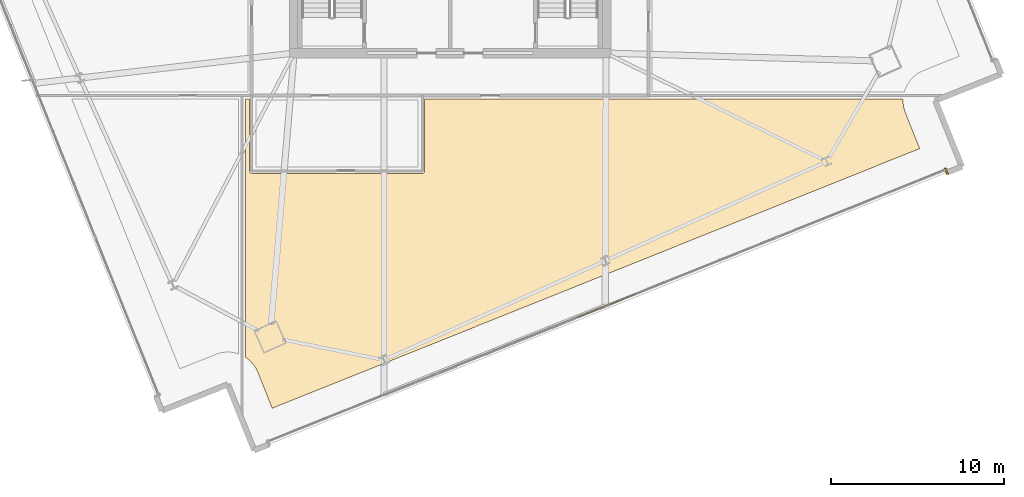
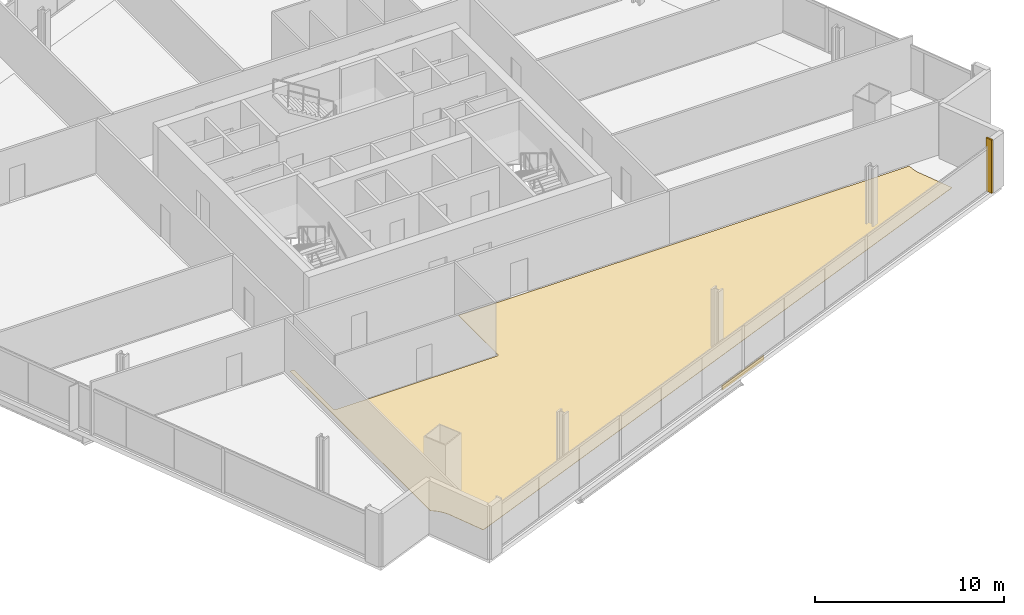
# One storey, part 29 of 33: 3 coverings.
"""IFC4 building model written with IfcOpenShell, lengths in metres."""

import ifcopenshell
import ifcopenshell.guid

model = None  # the IFC model being written
_history = None  # IfcOwnerHistory: only IFC2X3 demands one
_inside = {}  # id of a spatial element -> (the spatial element, [elements in it])
_under = {}  # id of a project, library or spatial element -> (it, [spatial elements below it])
_declared = {}  # id of a project -> (the project, [libraries it declares])
_typed = {}  # id of a type object -> (the type object, [elements of that type])
_made_of = {}  # id of a material, layer set ... -> (it, [elements and type objects made of it])


def new_model(schema):
    """Start an empty IFC model of exactly this schema.

    Asked for "IFC4X3", IfcOpenShell would pick the latest addendum, in which some entities
    have other attributes; the version numbers below select the first issue.
    IFC2X3 requires an IfcOwnerHistory on every rooted entity: one is made here for all.
    """
    global model, _history
    if schema == "IFC4X3":
        model = ifcopenshell.file(schema_version=(4, 3, 0, 0))
    else:
        model = ifcopenshell.file(schema=schema)
    _inside.clear()
    _under.clear()
    _declared.clear()
    _typed.clear()
    _made_of.clear()
    _history = None
    if model.schema == "IFC2X3":
        org = make("IfcOrganization", Name="unknown")
        user = make(
            "IfcPersonAndOrganization",
            ThePerson=make("IfcPerson", FamilyName="unknown"),
            TheOrganization=org,
        )
        app = make(
            "IfcApplication",
            ApplicationDeveloper=org,
            Version="unknown",
            ApplicationFullName="unknown",
            ApplicationIdentifier="unknown",
        )
        _history = make(
            "IfcOwnerHistory",
            OwningUser=user,
            OwningApplication=app,
            ChangeAction="ADDED",
            CreationDate=0,
        )
    return model


def make(cls, **values):
    """One entity of the class cls with the attributes given. An attribute that is None is left unset."""
    return model.create_entity(
        cls, **{name: value for name, value in values.items() if value is not None}
    )


def rooted(cls, **values):
    """An entity with a GlobalId (a new one), such as an element, a storey or a relation."""
    return make(cls, GlobalId=ifcopenshell.guid.new(), OwnerHistory=_history, **values)


def si_unit(unit_type, name, prefix=None):
    """IfcSIUnit, for example si_unit("LENGTHUNIT", "METRE", prefix="MILLI")."""
    return make("IfcSIUnit", UnitType=unit_type, Prefix=prefix, Name=name)


def assignment(units):
    """IfcUnitAssignment: the units of a project."""
    return None if units is None else make("IfcUnitAssignment", Units=units)


def point(xyz):
    """IfcCartesianPoint."""
    return None if xyz is None else make("IfcCartesianPoint", Coordinates=xyz)


def direction(xyz):
    """IfcDirection."""
    return None if xyz is None else make("IfcDirection", DirectionRatios=xyz)


def frame(location, z_axis=None, x_axis=None):
    """IfcAxis2Placement3D, a coordinate frame: its origin and axes. An axis left out is left unset."""
    return make(
        "IfcAxis2Placement3D",
        Location=point(location),
        Axis=direction(z_axis),
        RefDirection=direction(x_axis),
    )


def frame_2d(location, x_axis=None):
    """IfcAxis2Placement2D, a coordinate frame in the plane: its origin and x axis."""
    return make(
        "IfcAxis2Placement2D", Location=point(location), RefDirection=direction(x_axis)
    )


def origin():
    """The frame at (0, 0, 0) with its axes left unset."""
    return frame((0.0, 0.0, 0.0))


def origin_2d():
    """The frame at (0, 0) in the plane with its x axis left unset."""
    return frame_2d((0.0, 0.0))


def place(relative_to, where):
    """IfcLocalPlacement: puts the frame where relative to a parent placement (None: the world)."""
    return make(
        "IfcLocalPlacement", PlacementRelTo=relative_to, RelativePlacement=where
    )


def context(
    kind, dimensions, precision=None, world=None, true_north=None, identifier=None
):
    """IfcGeometricRepresentationContext, for example the 3D "Model" context."""
    return make(
        "IfcGeometricRepresentationContext",
        ContextIdentifier=identifier,
        ContextType=kind,
        CoordinateSpaceDimension=dimensions,
        Precision=precision,
        WorldCoordinateSystem=world,
        TrueNorth=true_north,
    )


def subcontext(parent, identifier, kind, view, scale=None):
    """IfcGeometricRepresentationSubContext, for example "Body" below "Model"."""
    return make(
        "IfcGeometricRepresentationSubContext",
        ContextIdentifier=identifier,
        ContextType=kind,
        ParentContext=parent,
        TargetScale=scale,
        TargetView=view,
    )


def project(units=None, contexts=None):
    """IfcProject with its units and contexts."""
    return rooted(
        "IfcProject",
        Name="project",
        RepresentationContexts=contexts,
        UnitsInContext=assignment(units),
    )


def spatial(cls, under=None, at=None, **own):
    """A site, building, storey or space (cls), placed at a placement, below another one or the project."""
    s = rooted(cls, ObjectPlacement=at, **own)
    if under is not None:
        _under.setdefault(under.id(), (under, []))[1].append(s)
    return s


def polyline(points):
    """IfcPolyline through the points."""
    return make("IfcPolyline", Points=[point(p) for p in points])


def profile(cls, at=None, kind="AREA", **sizes):
    """A parametric profile (cls). Its sizes go by their IFC names, for example OverallWidth=200.0."""
    return make(cls, ProfileType=kind, Position=at, **sizes)


def rectangle(**sizes):
    """IfcRectangleProfileDef."""
    return profile("IfcRectangleProfileDef", **sizes)


def outline(outer, holes=None, kind="AREA"):
    """IfcArbitraryClosedProfileDef: a profile drawn as a closed curve; with holes, ...WithVoids."""
    if holes is None:
        return make("IfcArbitraryClosedProfileDef", ProfileType=kind, OuterCurve=outer)
    return make(
        "IfcArbitraryProfileDefWithVoids",
        ProfileType=kind,
        OuterCurve=outer,
        InnerCurves=holes,
    )


def extrude(swept, where, along, depth):
    """IfcExtrudedAreaSolid: the profile swept, set in the frame where, extruded along a direction by depth."""
    return make(
        "IfcExtrudedAreaSolid",
        SweptArea=swept,
        Position=where,
        ExtrudedDirection=direction(along),
        Depth=depth,
    )


def shape(context_of_items, identifier, shape_type, items):
    """IfcShapeRepresentation: the items that make up one representation, for example the "Body"."""
    return make(
        "IfcShapeRepresentation",
        ContextOfItems=context_of_items,
        RepresentationIdentifier=identifier,
        RepresentationType=shape_type,
        Items=items,
    )


def source(mapping_origin, context_of_items, identifier, shape_type, items):
    """IfcRepresentationMap: a shape defined once, which mapped items show again and again."""
    return make(
        "IfcRepresentationMap",
        MappingOrigin=mapping_origin,
        MappedRepresentation=shape(context_of_items, identifier, shape_type, items),
    )


def transform(
    local_origin,
    x_axis=None,
    y_axis=None,
    z_axis=None,
    scale=None,
    scale2=None,
    scale3=None,
    uniform=True,
):
    """IfcCartesianTransformationOperator3D, or its non-uniform kind. x_axis, y_axis, z_axis: its Axis1, 2, 3."""
    if uniform:
        return make(
            "IfcCartesianTransformationOperator3D",
            Axis1=direction(x_axis),
            Axis2=direction(y_axis),
            LocalOrigin=point(local_origin),
            Scale=scale,
            Axis3=direction(z_axis),
        )
    return make(
        "IfcCartesianTransformationOperator3DnonUniform",
        Axis1=direction(x_axis),
        Axis2=direction(y_axis),
        LocalOrigin=point(local_origin),
        Scale=scale,
        Axis3=direction(z_axis),
        Scale2=scale2,
        Scale3=scale3,
    )


def mapped(mapping_source, mapping_target):
    """IfcMappedItem: shows the shape of a source again, moved by a transform."""
    return make(
        "IfcMappedItem", MappingSource=mapping_source, MappingTarget=mapping_target
    )


def material(Name=None, Category=None):
    """IfcMaterial."""
    return make("IfcMaterial", Name=Name, Category=Category)


def layer(
    of_material, thickness, ventilated=None, Name=None, Category=None, Priority=None
):
    """IfcMaterialLayer: one layer of a wall or slab, of a material (None: an air gap)."""
    return make(
        "IfcMaterialLayer",
        Material=of_material,
        LayerThickness=thickness,
        IsVentilated=ventilated,
        Name=Name,
        Category=Category,
        Priority=Priority,
    )


def layer_set(layers, Name=None):
    """IfcMaterialLayerSet."""
    return make("IfcMaterialLayerSet", MaterialLayers=layers, LayerSetName=Name)


def made_of(thing, what):
    """Note that an element or type object is made of a material, layer set ...; save() writes the relation."""
    if what is not None:
        _made_of.setdefault(what.id(), (what, []))[1].append(thing)
    return thing


def type_object(cls, material=None, **own):
    """A type object (cls), such as IfcWallType, which elements share."""
    return made_of(rooted(cls, **own), material)


def element(
    cls,
    number,
    at=None,
    inside=None,
    cuts=None,
    type_object=None,
    material=None,
    context=None,
    identifier="Body",
    shape_type=None,
    held_by="IfcProductDefinitionShape",
    body=None,
    shapes=None,
    **own,
):
    """One element of the class cls, such as IfcWall. Its Tag is "e" and its number.

    at: its placement. inside: the storey or other place that contains it. cuts: it is an
    opening in that element (IfcRelVoidsElement). A single representation is given by context,
    identifier, shape_type and body (its items); several are given by shapes. held_by: the class
    of the entity that holds the representations. save() writes the other relations.
    """
    e = rooted(cls, Tag="e%d" % number, ObjectPlacement=at, **own)
    if body is not None:
        shapes = [shape(context, identifier, shape_type, body)]
    if shapes is not None:
        e.Representation = make(held_by, Representations=shapes)
    if inside is not None:
        _inside.setdefault(inside.id(), (inside, []))[1].append(e)
    if cuts is not None:
        rooted(
            "IfcRelVoidsElement", RelatingBuildingElement=cuts, RelatedOpeningElement=e
        )
    if type_object is not None:
        _typed.setdefault(type_object.id(), (type_object, []))[1].append(e)
    return made_of(e, material)


def aggregate(whole, parts):
    """IfcRelAggregates: a whole, such as a stair, and the parts it consists of."""
    return rooted("IfcRelAggregates", RelatingObject=whole, RelatedObjects=parts)


def save(model, path):
    """Write the relations noted so far, then the file.

    IfcRelAggregates (storeys below a building ...), IfcRelContainedInSpatialStructure (elements
    in a storey), IfcRelDefinesByType, IfcRelAssociatesMaterial and IfcRelDeclares: one each for
    every whole, place, type object, material and project.
    """
    for whole, parts in _under.values():
        aggregate(whole, parts)
    for where, things in _inside.values():
        rooted(
            "IfcRelContainedInSpatialStructure",
            RelatedElements=things,
            RelatingStructure=where,
        )
    for kind, things in _typed.values():
        rooted("IfcRelDefinesByType", RelatedObjects=things, RelatingType=kind)
    for what, things in _made_of.values():
        rooted("IfcRelAssociatesMaterial", RelatedObjects=things, RelatingMaterial=what)
    for by, libraries in _declared.values():
        rooted("IfcRelDeclares", RelatingContext=by, RelatedDefinitions=libraries)
    model.write(path)


model = new_model("IFC4")

# Units and contexts
model_context = context("Model", 3, precision=1e-05, world=origin(), true_north=direction((0.0, 1.0)))
body_context = subcontext(model_context, "Body", "Model", "MODEL_VIEW")
ifc_project = project(units=[si_unit("LENGTHUNIT", "METRE"), si_unit("AREAUNIT", "SQUARE_METRE"), si_unit("VOLUMEUNIT", "CUBIC_METRE"), si_unit("PLANEANGLEUNIT", "RADIAN"), si_unit("MASSUNIT", "GRAM", prefix="KILO")], contexts=[model_context])

# Site, building, storey
site_placement = place(None, origin())
site = spatial("IfcSite", under=ifc_project, at=site_placement, CompositionType="ELEMENT")
building_placement = place(site_placement, origin())
building = spatial("IfcBuilding", under=site, at=building_placement, Name="Haldenkirk Collegiate Tower", CompositionType="ELEMENT")
storey_placement = place(building_placement, frame((0.0, 0.0, 101.699951171875)))
storey = spatial("IfcBuildingStorey", under=building, at=storey_placement, Name="L24", CompositionType="ELEMENT", Elevation=101.699951171875)

# Coverings
ifc_material_1 = material(Name="Engineered collegiate oak acoustic flooring", Category="wood")
ifc_layer_1 = layer(ifc_material_1, 0.02197265625)
ifc_layer_set_1 = layer_set([ifc_layer_1], Name="Engineered collegiate oak acoustic flooring")
covering_type_1 = type_object("IfcCoveringType", Name="COV-FLOOR-TIMBER", PredefinedType="FLOORING", material=ifc_layer_set_1)
covering_1_placement = place(storey_placement, origin())
element("IfcCovering", 1, at=covering_1_placement, inside=storey, type_object=covering_type_1, Name="L24 academic room finish 03", PredefinedType="FLOORING", context=body_context, shape_type="SweptSolid", body=[
    extrude(outline(polyline([(24.3798828125, 0.3056640625), (24.370849609375, 0.313232421875), (24.234130859375, 0.4169921875), (24.224609375, 0.423583984375), (24.199951171875, 0.438720703125), (24.199951171875, 15.35009765625), (24.43994140625, 15.35009765625), (24.43994140625, 11.179931640625), (24.440673828125, 11.168212890625), (24.4423828125, 11.156494140625), (24.4453125, 11.145263671875), (24.44921875, 11.134033203125), (24.4541015625, 11.123291015625), (24.460205078125, 11.11328125), (24.46728515625, 11.10400390625), (24.47509765625, 11.09521484375), (24.48388671875, 11.087158203125), (24.493408203125, 11.080078125), (24.50341796875, 11.07421875), (24.51416015625, 11.069091796875), (24.525146484375, 11.065185546875), (24.53662109375, 11.062255859375), (24.548095703125, 11.060546875), (24.56005859375, 11.06005859375), (34.39990234375, 11.06005859375), (34.411865234375, 11.060546875), (34.42333984375, 11.062255859375), (34.434814453125, 11.065185546875), (34.44580078125, 11.069091796875), (34.45654296875, 11.07421875), (34.466796875, 11.080078125), (34.47607421875, 11.087158203125), (34.48486328125, 11.09521484375), (34.492919921875, 11.10400390625), (34.499755859375, 11.11328125), (34.505859375, 11.123291015625), (34.510986328125, 11.134033203125), (34.514892578125, 11.145263671875), (34.517578125, 11.156494140625), (34.519287109375, 11.168212890625), (34.52001953125, 11.179931640625), (34.52001953125, 15.35009765625), (62.146484375, 15.35009765625), (62.142333984375, 15.280517578125), (62.14208984375, 15.268798828125), (62.148681640625, 15.09716796875), (62.149658203125, 15.085205078125), (62.173095703125, 14.915283203125), (62.17529296875, 14.90380859375), (62.215087890625, 14.736572265625), (62.21826171875, 14.725341796875), (62.2744140625, 14.56298828125), (62.2763671875, 14.557373046875), (63.106201171875, 12.48779296875), (25.738525390625, -2.496337890625), (24.90869140625, -0.426513671875), (24.90625, -0.4208984375), (24.83447265625, -0.264892578125), (24.8291015625, -0.25439453125), (24.742431640625, -0.106201171875), (24.736083984375, -0.09619140625), (24.635498046875, 0.042724609375), (24.6279296875, 0.052001953125), (24.51416015625, 0.180419921875), (24.505859375, 0.18896484375), (24.3798828125, 0.3056640625)])), origin(), (0.0, 0.0, 1.0), 0.02197265625),
])
ifc_material_2 = material(Name="Anodised architectural bronze aluminium", Category="aluminium")
ifc_layer_2 = layer(ifc_material_2, 0.06005859375)
ifc_layer_set_2 = layer_set([ifc_layer_2], Name="Anodised architectural bronze aluminium")
covering_type_2 = type_object("IfcCoveringType", Name="COV-CLAD-BRONZE-60", PredefinedType="CLADDING", material=ifc_layer_set_2)
shared_shape_1 = source(origin(), body_context, "Body", "SweptSolid", [
    extrude(rectangle(XDim=3.60009765625, YDim=0.06005859375, at=origin_2d()), origin(), (0.0, 0.0, 1.0), 0.300048828125),
])
covering_2_placement = place(storey_placement, frame((45.05126953125, 3.427001953125, -0.2998046875), z_axis=(0.0, 0.0, 1.0), x_axis=(-0.928161393808, -0.372177950778, 0.0)))
element("IfcCovering", 2, at=covering_2_placement, inside=storey, type_object=covering_type_2, Name="L24 architectural bronze spandrel cladding S", PredefinedType="CLADDING", context=body_context, shape_type="MappedRepresentation", body=[
    mapped(shared_shape_1, transform((0.0, 0.0, 0.0), x_axis=(1.0, 0.0, 0.0), y_axis=(0.0, 1.0, 0.0), z_axis=(0.0, 0.0, 1.0), scale=1.0)),
])
shared_shape_2 = source(origin(), body_context, "Body", "SweptSolid", [
    extrude(rectangle(XDim=0.10009765625, YDim=0.3798828125, at=origin_2d()), origin(), (0.0, 0.0, 1.0), 3.449951171875),
])
covering_3_placement = place(storey_placement, frame((64.641357421875, 11.185302734375, 0.0), z_axis=(0.0, 0.0, 1.0), x_axis=(-0.928161393808, -0.372177950778, 0.0)))
element("IfcCovering", 3, at=covering_3_placement, inside=storey, type_object=covering_type_2, Name="L24 recessed curtain-wall bronze jamb closure SJL", PredefinedType="CLADDING", context=body_context, shape_type="MappedRepresentation", body=[
    mapped(shared_shape_2, transform((0.0, 0.0, 0.0), x_axis=(1.0, 0.0, 0.0), y_axis=(0.0, 1.0, 0.0), z_axis=(0.0, 0.0, 1.0), scale=1.0)),
])

save(model, "model.ifc")
